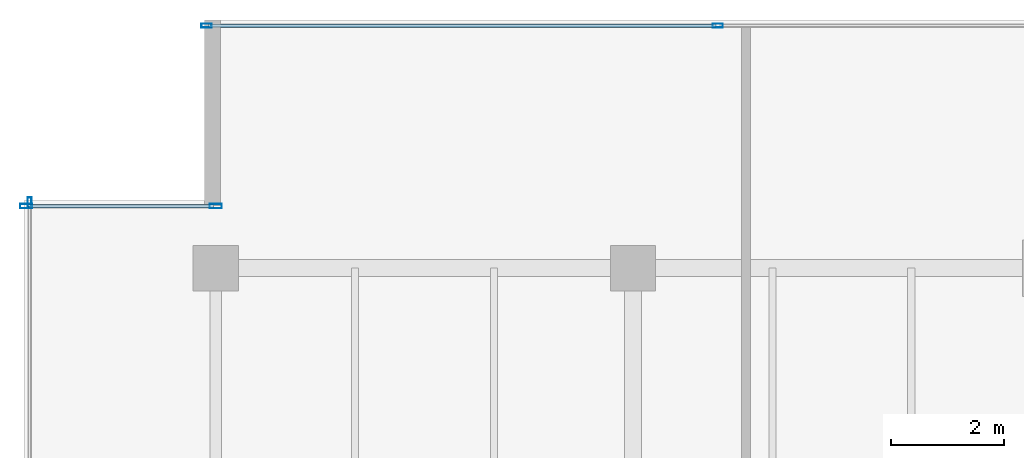
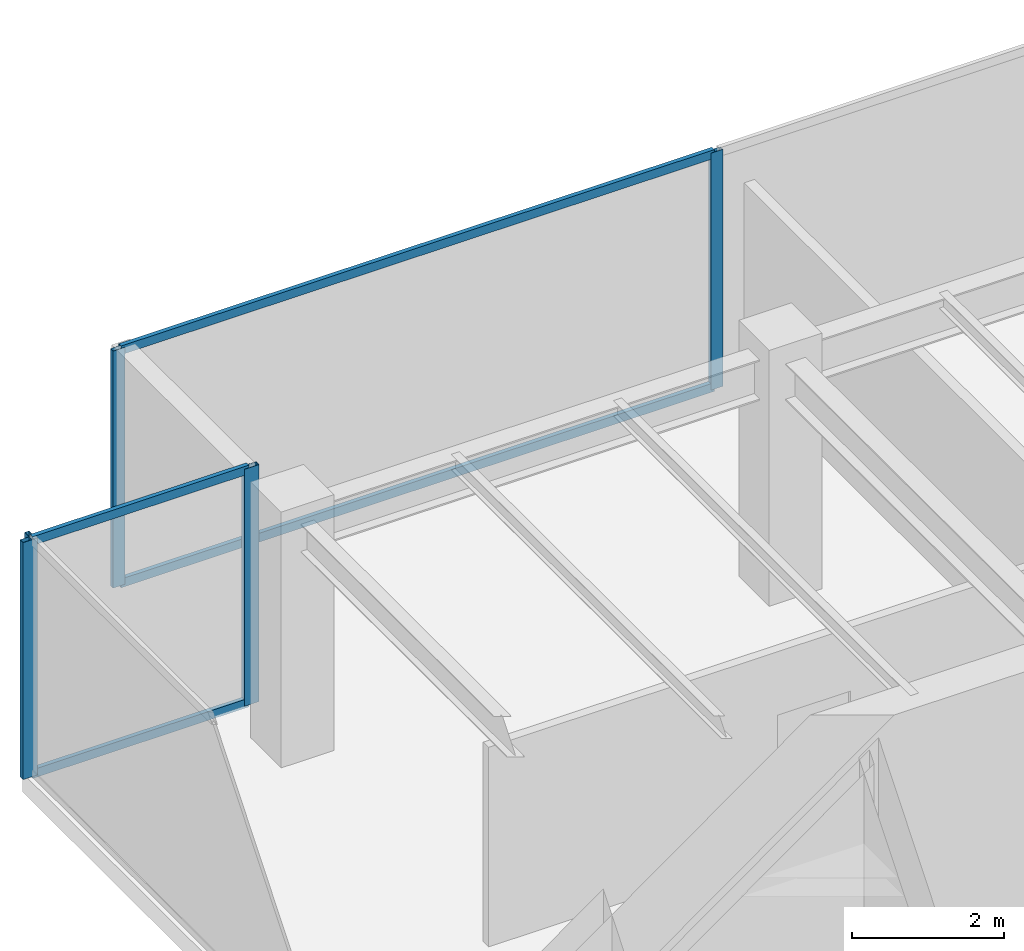
# One storey, part 15 of 33: 9 members, 3 elements without a shape of their own.
"""IFC4 building model written with IfcOpenShell, lengths in metres."""

from ifc_helpers import new_model, si_unit, direction, frame, origin, origin_2d, place, context, subcontext, project, spatial, hollow_rectangle, extrude, source, transform, mapped, material, layer, layer_set, material_profile, profile_set, type_object, type_shapes, element, aggregate, save


model = new_model("IFC4")

# Units and contexts
model_context = context("Model", 3, precision=1e-05, world=origin(), true_north=direction((0.0, 1.0)))
body_context = subcontext(model_context, "Body", "Model", "MODEL_VIEW")
ifc_project = project(units=[si_unit("LENGTHUNIT", "METRE"), si_unit("AREAUNIT", "SQUARE_METRE"), si_unit("VOLUMEUNIT", "CUBIC_METRE"), si_unit("PLANEANGLEUNIT", "RADIAN"), si_unit("MASSUNIT", "GRAM", prefix="KILO")], contexts=[model_context])

# Site, building, storey
site_placement = place(None, origin())
site = spatial("IfcSite", under=ifc_project, at=site_placement, CompositionType="ELEMENT")
building_placement = place(site_placement, origin())
building = spatial("IfcBuilding", under=site, at=building_placement, Name="Haelvirn Gate Laboratories", CompositionType="ELEMENT")
storey_placement = place(building_placement, frame((0.0, 0.0, 250.60009765625)))
storey = spatial("IfcBuildingStorey", under=building, at=storey_placement, Name="L60", CompositionType="ELEMENT", Elevation=250.60009765625)

# Curtain wall, members
ifc_material_1 = material(Name="Anodised bronze unitised aluminium & triple low-E glass", Category="aluminium")
ifc_layer_1 = layer(ifc_material_1, 0.181884765625, Name="CW-SYS-5")
ifc_layer_set_1 = layer_set([ifc_layer_1], Name="Anodised bronze unitised aluminium & triple low-E glass")
curtain_wall_type_1 = type_object("IfcCurtainWallType", Name="CW-SYS-5", PredefinedType="NOTDEFINED", material=ifc_layer_set_1)
curtain_wall_1_placement = place(storey_placement, origin())
curtain_wall_1 = element("IfcCurtainWall", 1, at=curtain_wall_1_placement, inside=storey, type_object=curtain_wall_type_1, Name="L60 Unitised Curtain Wall CW-L60-P0-E16-1", PredefinedType="NOTDEFINED")
ifc_material_2 = material(Name="Extruded aluminium 6063-T6 (anodised bronze)", Category="aluminium")
ifc_material_profile_1 = material_profile(ifc_material_2, hollow_rectangle(XDim=0.06494140625, YDim=0.139892578125, WallThickness=0.00390625, at=origin_2d()), Name="CWT-140x65x4")
ifc_profile_set_1 = profile_set([ifc_material_profile_1], Name="Extruded aluminium 6063-T6 (anodised bronze)")
member_type_1 = type_object("IfcMemberType", Name="CWT-T140", PredefinedType="USERDEFINED", material=ifc_profile_set_1)
shared_shape_1 = source(origin(), body_context, "Body", "SweptSolid", [
    extrude(hollow_rectangle(XDim=0.06494140625, YDim=0.139892578125, WallThickness=0.00390625, at=origin_2d()), origin(), (0.0, 0.0, 1.0), 3.280029296875),
])
member_1_placement = place(storey_placement, frame((4.080078125, 42.699951171875, 0.032470703125), z_axis=(1.0, 0.0, 0.0), x_axis=(0.0, 1.0, 0.0)))
member_1 = element("IfcMember", 2, at=member_1_placement, type_object=member_type_1, Name="CW5 transom 1.1", ObjectType="TRANSOM", PredefinedType="USERDEFINED", context=body_context, shape_type="MappedRepresentation", body=[
    mapped(shared_shape_1, transform((0.0, 0.0, 0.0), scale=1.0)),
])
member_2_placement = place(storey_placement, frame((4.080078125, 42.699951171875, 3.767333984375), z_axis=(1.0, 0.0, 0.0), x_axis=(0.0, 1.0, 0.0)))
member_2 = element("IfcMember", 3, at=member_2_placement, type_object=member_type_1, Name="CW5 transom 1.2", ObjectType="TRANSOM", PredefinedType="USERDEFINED", context=body_context, shape_type="MappedRepresentation", body=[
    mapped(shared_shape_1, transform((0.0, 0.0, 0.0), scale=1.0)),
])

ifc_layer_2 = layer(ifc_material_1, 0.176025390625, Name="CW-SYS-4")
ifc_layer_set_2 = layer_set([ifc_layer_2], Name="Anodised bronze unitised aluminium & triple low-E glass")
curtain_wall_type_2 = type_object("IfcCurtainWallType", Name="CW-SYS-4", PredefinedType="NOTDEFINED", material=ifc_layer_set_2)
curtain_wall_2_placement = place(storey_placement, origin())
curtain_wall_2 = element("IfcCurtainWall", 4, at=curtain_wall_2_placement, inside=storey, type_object=curtain_wall_type_2, Name="L60 Unitised Curtain Wall CW-L60-P0-E14-1", PredefinedType="NOTDEFINED")
shared_shape_2 = source(origin(), body_context, "Body", "SweptSolid", [
    extrude(hollow_rectangle(XDim=0.06494140625, YDim=0.139892578125, WallThickness=0.00390625, at=origin_2d()), origin(), (0.0, 0.0, 1.0), 8.994873046875),
])
type_shapes(member_type_1, [shared_shape_1, shared_shape_2])
member_3_placement = place(storey_placement, frame((7.27001953125, 45.89990234375, 0.032470703125), z_axis=(1.0, 0.0, 0.0), x_axis=(0.0, 1.0, 0.0)))
member_3 = element("IfcMember", 5, at=member_3_placement, type_object=member_type_1, Name="CW4 transom 1.1", ObjectType="TRANSOM", PredefinedType="USERDEFINED", context=body_context, shape_type="MappedRepresentation", body=[
    mapped(shared_shape_2, transform((0.0, 0.0, 0.0), scale=1.0)),
])
member_4_placement = place(storey_placement, frame((7.27001953125, 45.89990234375, 3.767333984375), z_axis=(1.0, 0.0, 0.0), x_axis=(0.0, 1.0, 0.0)))
member_4 = element("IfcMember", 6, at=member_4_placement, type_object=member_type_1, Name="CW4 transom 1.2", ObjectType="TRANSOM", PredefinedType="USERDEFINED", context=body_context, shape_type="MappedRepresentation", body=[
    mapped(shared_shape_2, transform((0.0, 0.0, 0.0), scale=1.0)),
])
ifc_material_profile_2 = material_profile(ifc_material_2, hollow_rectangle(XDim=0.070068359375, YDim=0.179931640625, WallThickness=0.0048828125, at=origin_2d()), Name="CWM-180x70x5")
ifc_profile_set_2 = profile_set([ifc_material_profile_2], Name="Extruded aluminium 6063-T6 (anodised bronze)")
member_type_2 = type_object("IfcMemberType", Name="CWM-T180", PredefinedType="MULLION", material=ifc_profile_set_2)
shared_shape_3 = source(origin(), body_context, "Body", "SweptSolid", [
    extrude(hollow_rectangle(XDim=0.070068359375, YDim=0.179931640625, WallThickness=0.0048828125, at=origin_2d()), origin(), (0.0, 0.0, 1.0), 3.7998046875),
])
type_shapes(member_type_2, [shared_shape_3])
member_5_placement = place(storey_placement, frame((7.235107421875, 45.89990234375, 0.0), z_axis=(0.0, 0.0, 1.0), x_axis=(0.0, 1.0, 0.0)))
member_5 = element("IfcMember", 7, at=member_5_placement, type_object=member_type_2, Name="CW4 mullion 1", PredefinedType="MULLION", context=body_context, shape_type="MappedRepresentation", body=[
    mapped(shared_shape_3, transform((0.0, 0.0, 0.0), scale=1.0)),
])
member_6_placement = place(storey_placement, frame((16.300048828125, 45.89990234375, 0.0), z_axis=(0.0, 0.0, 1.0), x_axis=(0.0, 1.0, 0.0)))
member_6 = element("IfcMember", 8, at=member_6_placement, type_object=member_type_2, Name="CW4 mullion 2", PredefinedType="MULLION", context=body_context, shape_type="MappedRepresentation", body=[
    mapped(shared_shape_3, transform((0.0, 0.0, 0.0), scale=1.0)),
])
aggregate(curtain_wall_2, [member_5, member_6, member_3, member_4])

# Curtain wall, member
curtain_wall_3_placement = place(storey_placement, origin())
curtain_wall_3 = element("IfcCurtainWall", 9, at=curtain_wall_3_placement, inside=storey, type_object=curtain_wall_type_2, Name="L60 Unitised Curtain Wall CW-L60-P0-E17", PredefinedType="NOTDEFINED")
member_7_placement = place(storey_placement, frame((4.10009765625, 42.764892578125, 0.0), z_axis=(0.0, 0.0, 1.0), x_axis=(1.0, 0.0, 0.0)))
member_7 = element("IfcMember", 10, at=member_7_placement, type_object=member_type_2, Name="CW4 mullion 1", PredefinedType="MULLION", context=body_context, shape_type="MappedRepresentation", body=[
    mapped(shared_shape_3, transform((0.0, 0.0, 0.0), scale=1.0)),
])
aggregate(curtain_wall_3, [member_7])

# Member
ifc_material_profile_3 = material_profile(ifc_material_2, hollow_rectangle(XDim=0.080078125, YDim=0.219970703125, WallThickness=0.006103515625, at=origin_2d()), Name="CWM-220x80x6")
ifc_profile_set_3 = profile_set([ifc_material_profile_3], Name="Extruded aluminium 6063-T6 (anodised bronze)")
member_type_3 = type_object("IfcMemberType", Name="CWM-T220", PredefinedType="MULLION", material=ifc_profile_set_3)
shared_shape_4 = source(origin(), body_context, "Body", "SweptSolid", [
    extrude(hollow_rectangle(XDim=0.080078125, YDim=0.219970703125, WallThickness=0.006103515625, at=origin_2d()), origin(), (0.0, 0.0, 1.0), 3.7998046875),
])
type_shapes(member_type_3, [shared_shape_4])
member_8_placement = place(storey_placement, frame((4.0400390625, 42.699951171875, 0.0), z_axis=(0.0, 0.0, 1.0), x_axis=(0.0, 1.0, 0.0)))
member_8 = element("IfcMember", 11, at=member_8_placement, type_object=member_type_3, Name="CW5 mullion 1", PredefinedType="MULLION", context=body_context, shape_type="MappedRepresentation", body=[
    mapped(shared_shape_4, transform((0.0, 0.0, 0.0), scale=1.0)),
])

member_9_placement = place(storey_placement, frame((7.39990234375, 42.699951171875, 0.0), z_axis=(0.0, 0.0, 1.0), x_axis=(0.0, 1.0, 0.0)))
member_9 = element("IfcMember", 12, at=member_9_placement, type_object=member_type_3, Name="CW5 mullion 2", PredefinedType="MULLION", context=body_context, shape_type="MappedRepresentation", body=[
    mapped(shared_shape_4, transform((0.0, 0.0, 0.0), scale=1.0)),
])

aggregate(curtain_wall_1, [member_8, member_9, member_1, member_2])

save(model, "model.ifc")
